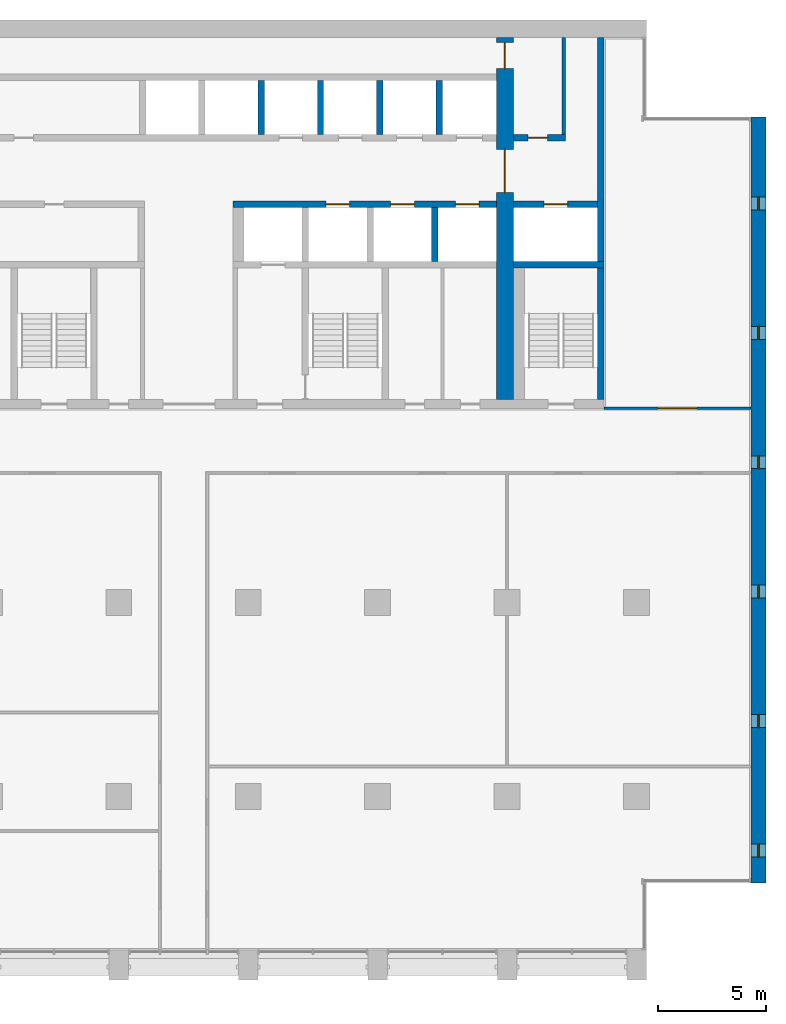
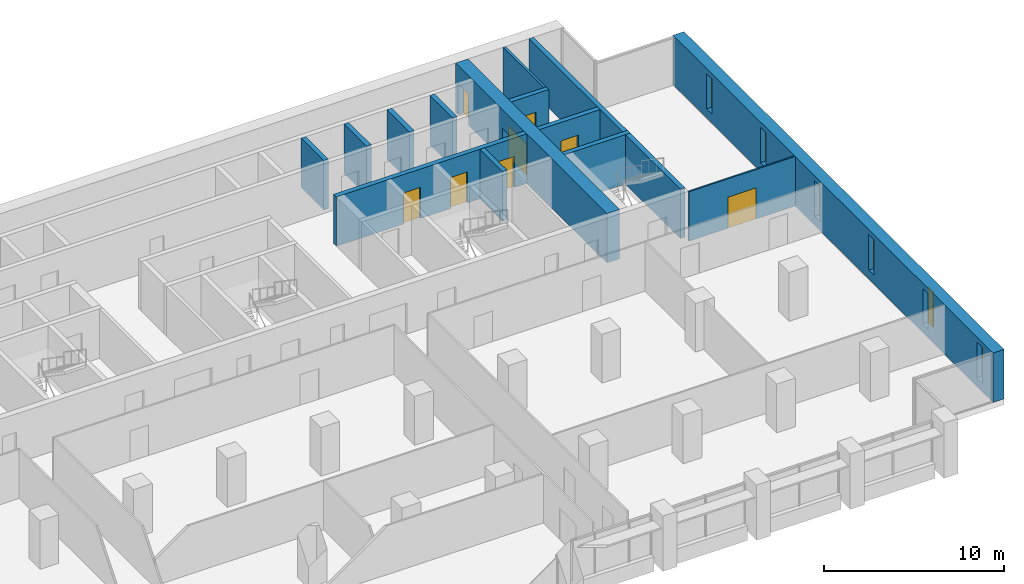
# One storey, part 11 of 15: 15 walls, 8 doors, 6 windows, 14 openings.
"""IFC4 building model written with IfcOpenShell, lengths in metres."""

from ifc_helpers import new_model, si_unit, direction, frame, frame_2d, origin, place, context, subcontext, project, spatial, rectangle, extrude, material, layer, layer_set, type_object, element, fill, save


model = new_model("IFC4")

# Units and contexts
model_context = context("Model", 3, precision=1e-05, world=origin(), true_north=direction((0.0, 1.0)))
body_context = subcontext(model_context, "Body", "Model", "MODEL_VIEW")
ifc_project = project(units=[si_unit("LENGTHUNIT", "METRE"), si_unit("AREAUNIT", "SQUARE_METRE"), si_unit("VOLUMEUNIT", "CUBIC_METRE"), si_unit("PLANEANGLEUNIT", "RADIAN"), si_unit("MASSUNIT", "GRAM", prefix="KILO")], contexts=[model_context])

# Site, building, storey
site_placement = place(None, origin())
site = spatial("IfcSite", under=ifc_project, at=site_placement, CompositionType="ELEMENT")
building_placement = place(site_placement, origin())
building = spatial("IfcBuilding", under=site, at=building_placement, Name="Calvaro Tower", CompositionType="ELEMENT")
storey_placement = place(building_placement, frame((0.0, 0.0, 147.5)))
storey = spatial("IfcBuildingStorey", under=building, at=storey_placement, Name="L37", CompositionType="ELEMENT", Elevation=147.5)

# Wall
ifc_material_1 = material(Name="Blockwork partition", Category="masonry")
ifc_layer_1 = layer(ifc_material_1, 0.14990234375)
ifc_layer_set_1 = layer_set([ifc_layer_1], Name="Blockwork partition")
wall_type_1 = type_object("IfcWallType", Name="Core partition 150 REI 120", PredefinedType="PARTITIONING", material=ifc_layer_set_1)
wall_1_placement = place(storey_placement, frame((62.625, 40.699951171875, 0.0), z_axis=(0.0, 0.0, 1.0), x_axis=(0.0, 1.0, 0.0)))
element("IfcWall", 1, at=wall_1_placement, inside=storey, type_object=wall_type_1, Name="Core partition", PredefinedType="PARTITIONING", context=body_context, shape_type="SweptSolid", body=[
    extrude(rectangle(XDim=4.5, YDim=0.14990234375, at=frame_2d((2.25, 0.0))), origin(), (0.0, 0.0, 1.0), 3.35009765625),
])

# Wall, opening, door
ifc_material_2 = material(Name="Blockwork partition", Category="masonry")
ifc_layer_2 = layer(ifc_material_2, 0.300048828125)
ifc_layer_set_2 = layer_set([ifc_layer_2], Name="Blockwork partition")
wall_type_2 = type_object("IfcWallType", Name="Core partition 300 REI 120", PredefinedType="PARTITIONING", material=ifc_layer_set_2)
wall_2_placement = place(storey_placement, frame((60.300048828125, 40.550048828125, 0.0), z_axis=(0.0, 0.0, 1.0), x_axis=(1.0, 0.0, 0.0)))
wall_2 = element("IfcWall", 2, at=wall_2_placement, inside=storey, type_object=wall_type_2, Name="Core partition", PredefinedType="PARTITIONING", context=body_context, shape_type="SweptSolid", body=[
    extrude(rectangle(XDim=2.39990234375, YDim=0.300048828125, at=frame_2d((1.199951171875, 0.0))), origin(), (0.0, 0.0, 1.0), 3.35009765625),
])
opening_1_placement = place(wall_2_placement, frame((0.675048828125, 0.0, 0.0)))
opening_1 = element("IfcOpeningElement", 3, at=opening_1_placement, cuts=wall_2, Name="Opening RD9E", PredefinedType="OPENING", context=body_context, shape_type="SweptSolid", body=[
    extrude(rectangle(XDim=0.89990234375, YDim=2.10009765625, at=frame_2d((0.449951171875, 1.050048828125))), frame((0.0, 0.159912109375, 0.0), z_axis=(0.0, -1.0, 0.0), x_axis=(1.0, 0.0, 0.0)), (0.0, 0.0, 1.0), 0.320068359375),
])
ifc_material_3 = material(Name="Steel door set", Category="steel")
door_type_1 = type_object("IfcDoorType", Name="Room door 900 FD60", OperationType="SINGLE_SWING_LEFT", PredefinedType="DOOR", material=ifc_material_3)
door_1_placement = place(opening_1_placement, origin())
door_1 = element("IfcDoor", 4, at=door_1_placement, inside=storey, type_object=door_type_1, Name="Room door", OperationType="SINGLE_SWING_LEFT", OverallHeight=2.10009765625, OverallWidth=0.89990234375, PredefinedType="DOOR", context=body_context, shape_type="SweptSolid", body=[
    extrude(rectangle(XDim=0.89990234375, YDim=2.10009765625, at=frame_2d((0.449951171875, 1.050048828125))), frame((0.0, 0.02490234375, 0.0), z_axis=(0.0, -1.0, 0.0), x_axis=(1.0, 0.0, 0.0)), (0.0, 0.0, 1.0), 0.050048828125),
])
fill(opening_1, door_1)

# Walls
ifc_material_4 = material(Name="Concrete C60/75", Category="concrete")
ifc_layer_3 = layer(ifc_material_4, 0.300048828125)
ifc_layer_set_3 = layer_set([ifc_layer_3], Name="Concrete C60/75")
wall_type_3 = type_object("IfcWallType", Name="Core wall C60/75 300", PredefinedType="SHEAR", material=ifc_layer_set_3)
wall_3_placement = place(storey_placement, frame((64.35009765625, 34.800048828125, 0.0), z_axis=(0.0, 0.0, 1.0), x_axis=(0.0, 1.0, 0.0)))
element("IfcWall", 5, at=wall_3_placement, inside=storey, type_object=wall_type_3, Name="Core wall, boundary", PredefinedType="SHEAR", context=body_context, shape_type="SweptSolid", body=[
    extrude(rectangle(XDim=10.39990234375, YDim=0.300048828125, at=frame_2d((5.199951171875, 0.0))), origin(), (0.0, 0.0, 1.0), 3.35009765625),
])
wall_4_placement = place(storey_placement, frame((64.35009765625, 28.39990234375, 0.0), z_axis=(0.0, 0.0, 1.0), x_axis=(0.0, 1.0, 0.0)))
element("IfcWall", 6, at=wall_4_placement, inside=storey, type_object=wall_type_3, Name="Core wall, stair enclosure", PredefinedType="SHEAR", context=body_context, shape_type="SweptSolid", body=[
    extrude(rectangle(XDim=6.10009765625, YDim=0.300048828125, at=frame_2d((3.050048828125, 0.0))), origin(), (0.0, 0.0, 1.0), 3.35009765625),
])
wall_5_placement = place(storey_placement, frame((60.300048828125, 34.64990234375, 0.0), z_axis=(0.0, 0.0, 1.0), x_axis=(1.0, 0.0, 0.0)))
element("IfcWall", 7, at=wall_5_placement, inside=storey, type_object=wall_type_3, Name="Core wall, lift shaft", PredefinedType="SHEAR", context=body_context, shape_type="SweptSolid", body=[
    extrude(rectangle(XDim=4.199951171875, YDim=0.300048828125, at=frame_2d((2.10009765625, 0.0))), origin(), (0.0, 0.0, 1.0), 3.35009765625),
])

# Wall, openings, doors
wall_6_placement = place(storey_placement, frame((47.300048828125, 37.449951171875, 0.0), z_axis=(0.0, 0.0, 1.0), x_axis=(1.0, 0.0, 0.0)))
wall_6 = element("IfcWall", 8, at=wall_6_placement, inside=storey, type_object=wall_type_3, Name="Core wall, lift shaft", PredefinedType="SHEAR", context=body_context, shape_type="SweptSolid", body=[
    extrude(rectangle(XDim=12.199951171875, YDim=0.300048828125, at=frame_2d((6.10009765625, 0.0))), origin(), (0.0, 0.0, 1.0), 3.35009765625),
])
opening_2_placement = place(wall_6_placement, frame((4.300048828125, 0.0, 0.0)))
opening_2 = element("IfcOpeningElement", 9, at=opening_2_placement, cuts=wall_6, Name="Opening MR1", PredefinedType="OPENING", context=body_context, shape_type="SweptSolid", body=[
    extrude(rectangle(XDim=1.10009765625, YDim=2.10009765625, at=frame_2d((0.550048828125, 1.050048828125))), frame((0.0, 0.159912109375, 0.0), z_axis=(0.0, -1.0, 0.0), x_axis=(1.0, 0.0, 0.0)), (0.0, 0.0, 1.0), 0.320068359375),
])
opening_3_placement = place(wall_6_placement, frame((7.300048828125, 0.0, 0.0)))
opening_3 = element("IfcOpeningElement", 10, at=opening_3_placement, cuts=wall_6, Name="Opening MR2", PredefinedType="OPENING", context=body_context, shape_type="SweptSolid", body=[
    extrude(rectangle(XDim=1.10009765625, YDim=2.10009765625, at=frame_2d((0.550048828125, 1.050048828125))), frame((0.0, 0.159912109375, 0.0), z_axis=(0.0, -1.0, 0.0), x_axis=(1.0, 0.0, 0.0)), (0.0, 0.0, 1.0), 0.320068359375),
])
opening_4_placement = place(wall_6_placement, frame((10.300048828125, 0.0, 0.0)))
opening_4 = element("IfcOpeningElement", 11, at=opening_4_placement, cuts=wall_6, Name="Opening MR3", PredefinedType="OPENING", context=body_context, shape_type="SweptSolid", body=[
    extrude(rectangle(XDim=1.10009765625, YDim=2.10009765625, at=frame_2d((0.550048828125, 1.050048828125))), frame((0.0, 0.159912109375, 0.0), z_axis=(0.0, -1.0, 0.0), x_axis=(1.0, 0.0, 0.0)), (0.0, 0.0, 1.0), 0.320068359375),
])
ifc_material_5 = material(Name="Stainless steel", Category="steel")
door_type_2 = type_object("IfcDoorType", Name="Landing door 1100 E 60", OperationType="SLIDING_TO_LEFT", PredefinedType="DOOR", material=ifc_material_5)
door_2_placement = place(opening_2_placement, origin())
door_2 = element("IfcDoor", 12, at=door_2_placement, inside=storey, type_object=door_type_2, Name="Landing door MR1", OperationType="SLIDING_TO_LEFT", OverallHeight=2.10009765625, OverallWidth=1.10009765625, PredefinedType="DOOR", context=body_context, shape_type="SweptSolid", body=[
    extrude(rectangle(XDim=1.10009765625, YDim=2.10009765625, at=frame_2d((0.550048828125, 1.050048828125))), frame((0.0, 0.02490234375, 0.0), z_axis=(0.0, -1.0, 0.0), x_axis=(1.0, 0.0, 0.0)), (0.0, 0.0, 1.0), 0.050048828125),
])
fill(opening_2, door_2)
door_3_placement = place(opening_3_placement, origin())
door_3 = element("IfcDoor", 13, at=door_3_placement, inside=storey, type_object=door_type_2, Name="Landing door MR2", OperationType="SLIDING_TO_LEFT", OverallHeight=2.10009765625, OverallWidth=1.10009765625, PredefinedType="DOOR", context=body_context, shape_type="SweptSolid", body=[
    extrude(rectangle(XDim=1.10009765625, YDim=2.10009765625, at=frame_2d((0.550048828125, 1.050048828125))), frame((0.0, 0.02490234375, 0.0), z_axis=(0.0, -1.0, 0.0), x_axis=(1.0, 0.0, 0.0)), (0.0, 0.0, 1.0), 0.050048828125),
])
fill(opening_3, door_3)
door_4_placement = place(opening_4_placement, origin())
door_4 = element("IfcDoor", 14, at=door_4_placement, inside=storey, type_object=door_type_2, Name="Landing door MR3", OperationType="SLIDING_TO_LEFT", OverallHeight=2.10009765625, OverallWidth=1.10009765625, PredefinedType="DOOR", context=body_context, shape_type="SweptSolid", body=[
    extrude(rectangle(XDim=1.10009765625, YDim=2.10009765625, at=frame_2d((0.550048828125, 1.050048828125))), frame((0.0, 0.02490234375, 0.0), z_axis=(0.0, -1.0, 0.0), x_axis=(1.0, 0.0, 0.0)), (0.0, 0.0, 1.0), 0.050048828125),
])
fill(opening_4, door_4)

# Wall, opening, door
wall_7_placement = place(storey_placement, frame((60.300048828125, 37.449951171875, 0.0), z_axis=(0.0, 0.0, 1.0), x_axis=(1.0, 0.0, 0.0)))
wall_7 = element("IfcWall", 15, at=wall_7_placement, inside=storey, type_object=wall_type_3, Name="Core wall, lift shaft", PredefinedType="SHEAR", context=body_context, shape_type="SweptSolid", body=[
    extrude(rectangle(XDim=3.89990234375, YDim=0.300048828125, at=frame_2d((1.949951171875, 0.0))), origin(), (0.0, 0.0, 1.0), 3.35009765625),
])
opening_5_placement = place(wall_7_placement, frame((1.39990234375, 0.0, 0.0)))
opening_5 = element("IfcOpeningElement", 16, at=opening_5_placement, cuts=wall_7, Name="Opening FF3", PredefinedType="OPENING", context=body_context, shape_type="SweptSolid", body=[
    extrude(rectangle(XDim=1.10009765625, YDim=2.10009765625, at=frame_2d((0.550048828125, 1.050048828125))), frame((0.0, 0.159912109375, 0.0), z_axis=(0.0, -1.0, 0.0), x_axis=(1.0, 0.0, 0.0)), (0.0, 0.0, 1.0), 0.320068359375),
])
door_5_placement = place(opening_5_placement, origin())
door_5 = element("IfcDoor", 17, at=door_5_placement, inside=storey, type_object=door_type_2, Name="Landing door FF3", OperationType="SLIDING_TO_LEFT", OverallHeight=2.10009765625, OverallWidth=1.10009765625, PredefinedType="DOOR", context=body_context, shape_type="SweptSolid", body=[
    extrude(rectangle(XDim=1.10009765625, YDim=2.10009765625, at=frame_2d((0.550048828125, 1.050048828125))), frame((0.0, 0.02490234375, 0.0), z_axis=(0.0, -1.0, 0.0), x_axis=(1.0, 0.0, 0.0)), (0.0, 0.0, 1.0), 0.050048828125),
])
fill(opening_5, door_5)

# Walls
for number, where, z_axis, x_axis, name in (
    (18, (56.64990234375, 34.800048828125, 0.0), (0.0, 0.0, 1.0), (0.0, 1.0, 0.0), "Core wall, lift shaft"),
    (19, (48.60009765625, 40.699951171875, 0.0), (0.0, 0.0, 1.0), (0.0, 1.0, 0.0), "Core wall, lift shaft"),
    (20, (51.35009765625, 40.699951171875, 0.0), (0.0, 0.0, 1.0), (0.0, 1.0, 0.0), "Core wall, lift shaft"),
    (21, (54.10009765625, 40.699951171875, 0.0), (0.0, 0.0, 1.0), (0.0, 1.0, 0.0), "Core wall, lift shaft"),
    (22, (56.85009765625, 40.699951171875, 0.0), (0.0, 0.0, 1.0), (0.0, 1.0, 0.0), "Core wall, lift shaft"),
):
    element("IfcWall", number, at=place(storey_placement, frame(where, z_axis=z_axis, x_axis=x_axis)), inside=storey, type_object=wall_type_3, Name=name, PredefinedType="SHEAR", context=body_context, shape_type="SweptSolid", body=[
        extrude(rectangle(XDim=2.5, YDim=0.300048828125, at=frame_2d((1.25, 0.0))), origin(), (0.0, 0.0, 1.0), 3.35009765625),
    ])

# Wall, openings, doors
ifc_material_6 = material(Name="Concrete C60/75", Category="concrete")
ifc_layer_4 = layer(ifc_material_6, 0.800048828125)
ifc_layer_set_4 = layer_set([ifc_layer_4], Name="Concrete C60/75")
wall_type_4 = type_object("IfcWallType", Name="Core wall C60/75 800", PredefinedType="SHEAR", material=ifc_layer_set_4)
wall_8_placement = place(storey_placement, frame((59.89990234375, 28.39990234375, 0.0), z_axis=(0.0, 0.0, 1.0), x_axis=(0.0, 1.0, 0.0)))
wall_8 = element("IfcWall", 23, at=wall_8_placement, inside=storey, type_object=wall_type_4, Name="Core wall, cross shear wall", PredefinedType="SHEAR", context=body_context, shape_type="SweptSolid", body=[
    extrude(rectangle(XDim=16.800048828125, YDim=0.800048828125, at=frame_2d((8.39990234375, 0.0))), origin(), (0.0, 0.0, 1.0), 3.35009765625),
])
opening_6_placement = place(wall_8_placement, frame((9.60009765625, 0.0, 0.0)))
opening_6 = element("IfcOpeningElement", 24, at=opening_6_placement, cuts=wall_8, Name="Opening DD20D", PredefinedType="OPENING", context=body_context, shape_type="SweptSolid", body=[
    extrude(rectangle(XDim=2.0, YDim=2.10009765625, at=frame_2d((1.0, 1.050048828125))), frame((0.0, 0.409912109375, 0.0), z_axis=(0.0, -1.0, 0.0), x_axis=(1.0, 0.0, 0.0)), (0.0, 0.0, 1.0), 0.820068359375),
])
opening_7_placement = place(wall_8_placement, frame((15.35009765625, 0.0, 0.0)))
opening_7 = element("IfcOpeningElement", 25, at=opening_7_placement, cuts=wall_8, Name="Opening FD12C", PredefinedType="OPENING", context=body_context, shape_type="SweptSolid", body=[
    extrude(rectangle(XDim=1.199951171875, YDim=2.10009765625, at=frame_2d((0.60009765625, 1.050048828125))), frame((0.0, 0.409912109375, 0.0), z_axis=(0.0, -1.0, 0.0), x_axis=(1.0, 0.0, 0.0)), (0.0, 0.0, 1.0), 0.820068359375),
])
ifc_material_7 = material(Name="Steel door set", Category="steel")
door_type_3 = type_object("IfcDoorType", Name="Fire door 1200 FD30", OperationType="SINGLE_SWING_LEFT", PredefinedType="DOOR", material=ifc_material_7)
door_6_placement = place(opening_7_placement, origin())
door_6 = element("IfcDoor", 26, at=door_6_placement, inside=storey, type_object=door_type_3, Name="Fire door", OperationType="SINGLE_SWING_LEFT", OverallHeight=2.10009765625, OverallWidth=1.199951171875, PredefinedType="DOOR", context=body_context, shape_type="SweptSolid", body=[
    extrude(rectangle(XDim=1.199951171875, YDim=2.10009765625, at=frame_2d((0.60009765625, 1.050048828125))), frame((0.0, 0.02490234375, 0.0), z_axis=(0.0, -1.0, 0.0), x_axis=(1.0, 0.0, 0.0)), (0.0, 0.0, 1.0), 0.050048828125),
])
fill(opening_7, door_6)
ifc_material_8 = material(Name="Steel door set", Category="steel")
door_type_4 = type_object("IfcDoorType", Name="Lobby double door 2000 FD30S", OperationType="DOUBLE_DOOR_SINGLE_SWING", PredefinedType="DOOR", material=ifc_material_8)
door_7_placement = place(opening_6_placement, origin())
door_7 = element("IfcDoor", 27, at=door_7_placement, inside=storey, type_object=door_type_4, Name="Lobby double door", OperationType="DOUBLE_DOOR_SINGLE_SWING", OverallHeight=2.10009765625, OverallWidth=2.0, PredefinedType="DOOR", context=body_context, shape_type="SweptSolid", body=[
    extrude(rectangle(XDim=2.0, YDim=2.10009765625, at=frame_2d((1.0, 1.050048828125))), frame((0.0, 0.02490234375, 0.0), z_axis=(0.0, -1.0, 0.0), x_axis=(1.0, 0.0, 0.0)), (0.0, 0.0, 1.0), 0.050048828125),
])
fill(opening_6, door_7)

# Wall, openings, windows
ifc_material_9 = material(Name="Concrete C60/75", Category="concrete")
ifc_layer_5 = layer(ifc_material_9, 0.699951171875)
ifc_layer_set_5 = layer_set([ifc_layer_5], Name="Concrete C60/75")
wall_type_5 = type_object("IfcWallType", Name="End wall 700 C60/75", PredefinedType="SHEAR", material=ifc_layer_set_5)
wall_9_placement = place(storey_placement, frame((71.64990234375, 6.0, 0.0), z_axis=(0.0, 0.0, 1.0), x_axis=(0.0, 1.0, 0.0)))
wall_9 = element("IfcWall", 28, at=wall_9_placement, inside=storey, type_object=wall_type_5, Name="End shear wall", PredefinedType="SHEAR", context=body_context, shape_type="SweptSolid", body=[
    extrude(rectangle(XDim=35.5, YDim=0.699951171875, at=frame_2d((17.75, 0.0))), origin(), (0.0, 0.0, 1.0), 3.35009765625),
])
opening_8_placement = place(wall_9_placement, frame((1.199951171875, 0.0, 0.60009765625)))
opening_8 = element("IfcOpeningElement", 29, at=opening_8_placement, cuts=wall_9, Name="Opening WE01", PredefinedType="OPENING", context=body_context, shape_type="SweptSolid", body=[
    extrude(rectangle(XDim=0.60009765625, YDim=2.39990234375, at=frame_2d((0.300048828125, 1.199951171875))), frame((0.0, 0.35986328125, 0.0), z_axis=(0.0, -1.0, 0.0), x_axis=(1.0, 0.0, 0.0)), (0.0, 0.0, 1.0), 0.719970703125),
])
opening_9_placement = place(wall_9_placement, frame((7.199951171875, 0.0, 0.60009765625)))
opening_9 = element("IfcOpeningElement", 30, at=opening_9_placement, cuts=wall_9, Name="Opening WE02", PredefinedType="OPENING", context=body_context, shape_type="SweptSolid", body=[
    extrude(rectangle(XDim=0.60009765625, YDim=2.39990234375, at=frame_2d((0.300048828125, 1.199951171875))), frame((0.0, 0.35986328125, 0.0), z_axis=(0.0, -1.0, 0.0), x_axis=(1.0, 0.0, 0.0)), (0.0, 0.0, 1.0), 0.719970703125),
])
opening_10_placement = place(wall_9_placement, frame((13.199951171875, 0.0, 0.60009765625)))
opening_10 = element("IfcOpeningElement", 31, at=opening_10_placement, cuts=wall_9, Name="Opening WE03", PredefinedType="OPENING", context=body_context, shape_type="SweptSolid", body=[
    extrude(rectangle(XDim=0.60009765625, YDim=2.39990234375, at=frame_2d((0.300048828125, 1.199951171875))), frame((0.0, 0.35986328125, 0.0), z_axis=(0.0, -1.0, 0.0), x_axis=(1.0, 0.0, 0.0)), (0.0, 0.0, 1.0), 0.719970703125),
])
opening_11_placement = place(wall_9_placement, frame((19.199951171875, 0.0, 0.60009765625)))
opening_11 = element("IfcOpeningElement", 32, at=opening_11_placement, cuts=wall_9, Name="Opening WE04", PredefinedType="OPENING", context=body_context, shape_type="SweptSolid", body=[
    extrude(rectangle(XDim=0.60009765625, YDim=2.39990234375, at=frame_2d((0.300048828125, 1.199951171875))), frame((0.0, 0.35986328125, 0.0), z_axis=(0.0, -1.0, 0.0), x_axis=(1.0, 0.0, 0.0)), (0.0, 0.0, 1.0), 0.719970703125),
])
opening_12_placement = place(wall_9_placement, frame((25.199951171875, 0.0, 0.60009765625)))
opening_12 = element("IfcOpeningElement", 33, at=opening_12_placement, cuts=wall_9, Name="Opening WE05", PredefinedType="OPENING", context=body_context, shape_type="SweptSolid", body=[
    extrude(rectangle(XDim=0.60009765625, YDim=2.39990234375, at=frame_2d((0.300048828125, 1.199951171875))), frame((0.0, 0.35986328125, 0.0), z_axis=(0.0, -1.0, 0.0), x_axis=(1.0, 0.0, 0.0)), (0.0, 0.0, 1.0), 0.719970703125),
])
opening_13_placement = place(wall_9_placement, frame((31.199951171875, 0.0, 0.60009765625)))
opening_13 = element("IfcOpeningElement", 34, at=opening_13_placement, cuts=wall_9, Name="Opening WE06", PredefinedType="OPENING", context=body_context, shape_type="SweptSolid", body=[
    extrude(rectangle(XDim=0.60009765625, YDim=2.39990234375, at=frame_2d((0.300048828125, 1.199951171875))), frame((0.0, 0.35986328125, 0.0), z_axis=(0.0, -1.0, 0.0), x_axis=(1.0, 0.0, 0.0)), (0.0, 0.0, 1.0), 0.719970703125),
])
ifc_material_10 = material(Name="Glass", Category="glass")
window_type = type_object("IfcWindowType", Name="Slit window 600 x 2400", PartitioningType="SINGLE_PANEL", PredefinedType="WINDOW", material=ifc_material_10)
window_1_placement = place(opening_8_placement, origin())
window_1 = element("IfcWindow", 35, at=window_1_placement, inside=storey, type_object=window_type, Name="Window WE01", OverallHeight=2.39990234375, OverallWidth=0.60009765625, PartitioningType="SINGLE_PANEL", PredefinedType="WINDOW", context=body_context, shape_type="SweptSolid", body=[
    extrude(rectangle(XDim=0.60009765625, YDim=2.39990234375, at=frame_2d((0.300048828125, 1.199951171875))), frame((0.0, 0.030029296875, 0.0), z_axis=(0.0, -1.0, 0.0), x_axis=(1.0, 0.0, 0.0)), (0.0, 0.0, 1.0), 0.06005859375),
])
fill(opening_8, window_1)
window_2_placement = place(opening_9_placement, origin())
window_2 = element("IfcWindow", 36, at=window_2_placement, inside=storey, type_object=window_type, Name="Window WE02", OverallHeight=2.39990234375, OverallWidth=0.60009765625, PartitioningType="SINGLE_PANEL", PredefinedType="WINDOW", context=body_context, shape_type="SweptSolid", body=[
    extrude(rectangle(XDim=0.60009765625, YDim=2.39990234375, at=frame_2d((0.300048828125, 1.199951171875))), frame((0.0, 0.030029296875, 0.0), z_axis=(0.0, -1.0, 0.0), x_axis=(1.0, 0.0, 0.0)), (0.0, 0.0, 1.0), 0.06005859375),
])
fill(opening_9, window_2)
window_3_placement = place(opening_10_placement, origin())
window_3 = element("IfcWindow", 37, at=window_3_placement, inside=storey, type_object=window_type, Name="Window WE03", OverallHeight=2.39990234375, OverallWidth=0.60009765625, PartitioningType="SINGLE_PANEL", PredefinedType="WINDOW", context=body_context, shape_type="SweptSolid", body=[
    extrude(rectangle(XDim=0.60009765625, YDim=2.39990234375, at=frame_2d((0.300048828125, 1.199951171875))), frame((0.0, 0.030029296875, 0.0), z_axis=(0.0, -1.0, 0.0), x_axis=(1.0, 0.0, 0.0)), (0.0, 0.0, 1.0), 0.06005859375),
])
fill(opening_10, window_3)
window_4_placement = place(opening_11_placement, origin())
window_4 = element("IfcWindow", 38, at=window_4_placement, inside=storey, type_object=window_type, Name="Window WE04", OverallHeight=2.39990234375, OverallWidth=0.60009765625, PartitioningType="SINGLE_PANEL", PredefinedType="WINDOW", context=body_context, shape_type="SweptSolid", body=[
    extrude(rectangle(XDim=0.60009765625, YDim=2.39990234375, at=frame_2d((0.300048828125, 1.199951171875))), frame((0.0, 0.030029296875, 0.0), z_axis=(0.0, -1.0, 0.0), x_axis=(1.0, 0.0, 0.0)), (0.0, 0.0, 1.0), 0.06005859375),
])
fill(opening_11, window_4)
window_5_placement = place(opening_12_placement, origin())
window_5 = element("IfcWindow", 39, at=window_5_placement, inside=storey, type_object=window_type, Name="Window WE05", OverallHeight=2.39990234375, OverallWidth=0.60009765625, PartitioningType="SINGLE_PANEL", PredefinedType="WINDOW", context=body_context, shape_type="SweptSolid", body=[
    extrude(rectangle(XDim=0.60009765625, YDim=2.39990234375, at=frame_2d((0.300048828125, 1.199951171875))), frame((0.0, 0.030029296875, 0.0), z_axis=(0.0, -1.0, 0.0), x_axis=(1.0, 0.0, 0.0)), (0.0, 0.0, 1.0), 0.06005859375),
])
fill(opening_12, window_5)
window_6_placement = place(opening_13_placement, origin())
window_6 = element("IfcWindow", 40, at=window_6_placement, inside=storey, type_object=window_type, Name="Window WE06", OverallHeight=2.39990234375, OverallWidth=0.60009765625, PartitioningType="SINGLE_PANEL", PredefinedType="WINDOW", context=body_context, shape_type="SweptSolid", body=[
    extrude(rectangle(XDim=0.60009765625, YDim=2.39990234375, at=frame_2d((0.300048828125, 1.199951171875))), frame((0.0, 0.030029296875, 0.0), z_axis=(0.0, -1.0, 0.0), x_axis=(1.0, 0.0, 0.0)), (0.0, 0.0, 1.0), 0.06005859375),
])
fill(opening_13, window_6)

# Wall, opening, door
ifc_material_11 = material(Name="Plasterboard on steel studs", Category="steel")
ifc_layer_6 = layer(ifc_material_11, 0.10009765625)
ifc_layer_set_6 = layer_set([ifc_layer_6], Name="Plasterboard on steel studs")
wall_type_6 = type_object("IfcWallType", Name="Partition 100", PredefinedType="PARTITIONING", material=ifc_layer_set_6)
wall_10_placement = place(storey_placement, frame((64.5, 28.0, 0.0), z_axis=(0.0, 0.0, 1.0), x_axis=(1.0, 0.0, 0.0)))
wall_10 = element("IfcWall", 41, at=wall_10_placement, inside=storey, type_object=wall_type_6, Name="Partition T22.W009", PredefinedType="PARTITIONING", context=body_context, shape_type="SweptSolid", body=[
    extrude(rectangle(XDim=6.800048828125, YDim=0.10009765625, at=frame_2d((3.39990234375, 0.0))), origin(), (0.0, 0.0, 1.0), 3.35009765625),
])
opening_14_placement = place(wall_10_placement, frame((2.5, 0.0, 0.0)))
opening_14 = element("IfcOpeningElement", 42, at=opening_14_placement, cuts=wall_10, Name="Opening T22.016", PredefinedType="OPENING", context=body_context, shape_type="SweptSolid", body=[
    extrude(rectangle(XDim=1.800048828125, YDim=2.10009765625, at=frame_2d((0.89990234375, 1.050048828125))), frame((0.0, 0.06005859375, 0.0), z_axis=(0.0, -1.0, 0.0), x_axis=(1.0, 0.0, 0.0)), (0.0, 0.0, 1.0), 0.1201171875),
])
ifc_material_12 = material(Name="Timber", Category="wood")
door_type_5 = type_object("IfcDoorType", Name="Internal double door 1800 x 2100", OperationType="DOUBLE_DOOR_SINGLE_SWING", PredefinedType="DOOR", material=ifc_material_12)
door_8_placement = place(opening_14_placement, origin())
door_8 = element("IfcDoor", 43, at=door_8_placement, inside=storey, type_object=door_type_5, Name="Door T22.016", OperationType="DOUBLE_DOOR_SINGLE_SWING", OverallHeight=2.10009765625, OverallWidth=1.800048828125, PredefinedType="DOOR", context=body_context, shape_type="SweptSolid", body=[
    extrude(rectangle(XDim=1.800048828125, YDim=2.10009765625, at=frame_2d((0.89990234375, 1.050048828125))), frame((0.0, 0.02490234375, 0.0), z_axis=(0.0, -1.0, 0.0), x_axis=(1.0, 0.0, 0.0)), (0.0, 0.0, 1.0), 0.050048828125),
])
fill(opening_14, door_8)

save(model, "model.ifc")
